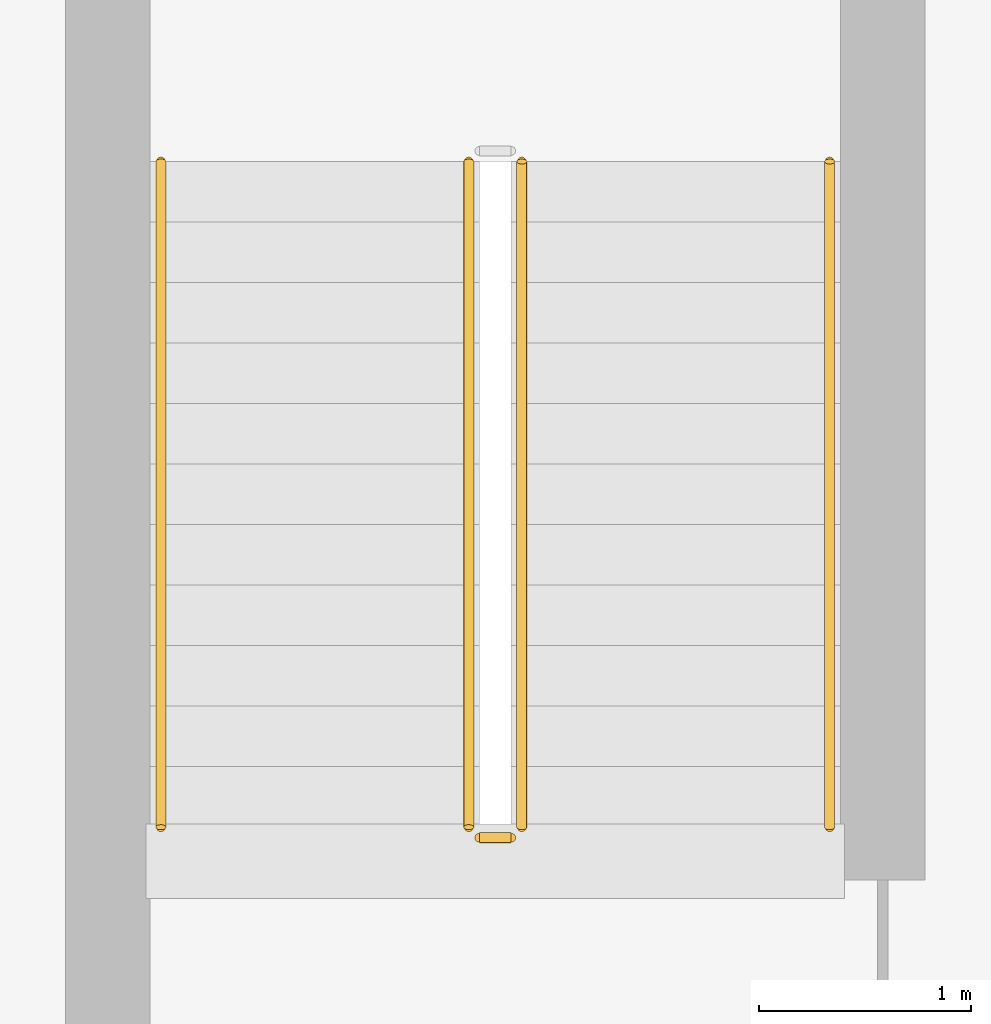
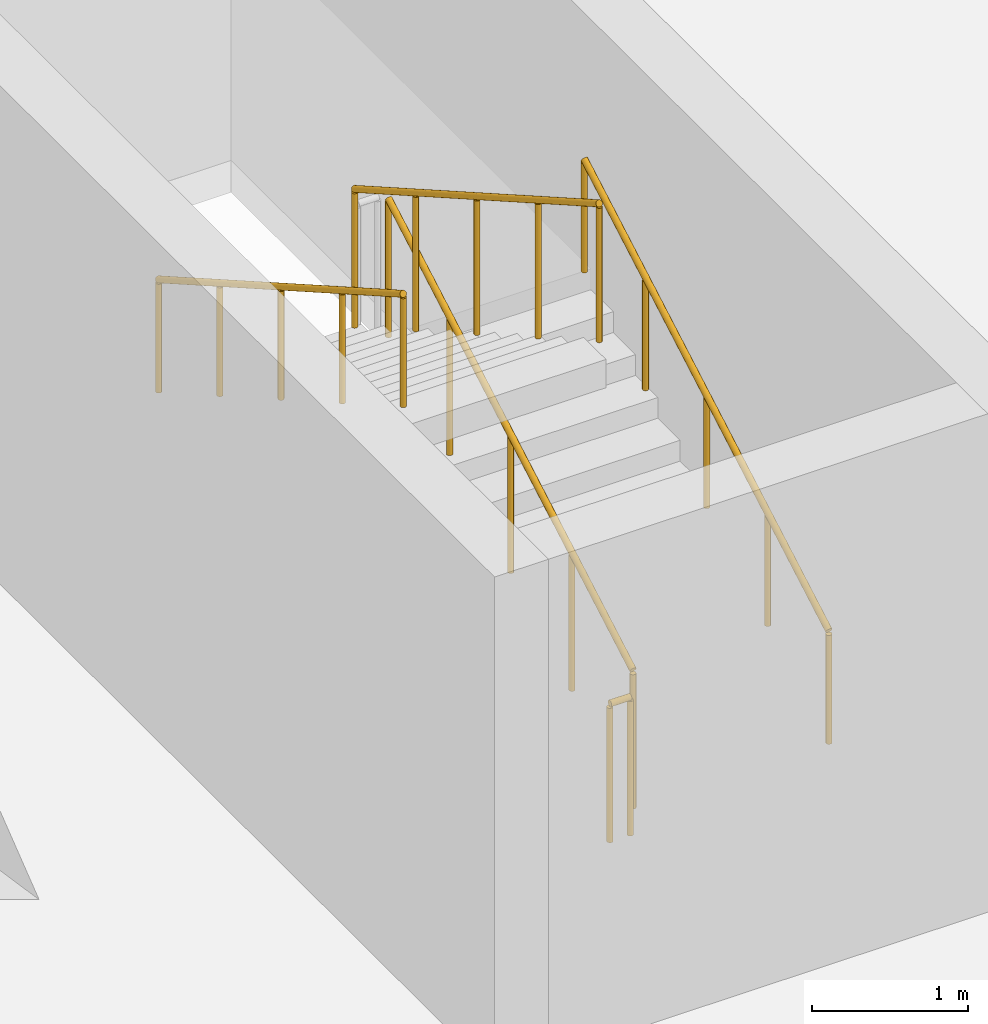
# One storey, part 78 of 98: 5 railings.
"""IFC4 building model written with IfcOpenShell, lengths in metres."""

import ifcopenshell
import ifcopenshell.guid

model = None  # the IFC model being written
_history = None  # IfcOwnerHistory: only IFC2X3 demands one
_inside = {}  # id of a spatial element -> (the spatial element, [elements in it])
_under = {}  # id of a project, library or spatial element -> (it, [spatial elements below it])
_declared = {}  # id of a project -> (the project, [libraries it declares])
_typed = {}  # id of a type object -> (the type object, [elements of that type])
_made_of = {}  # id of a material, layer set ... -> (it, [elements and type objects made of it])


def new_model(schema):
    """Start an empty IFC model of exactly this schema.

    Asked for "IFC4X3", IfcOpenShell would pick the latest addendum, in which some entities
    have other attributes; the version numbers below select the first issue.
    IFC2X3 requires an IfcOwnerHistory on every rooted entity: one is made here for all.
    """
    global model, _history
    if schema == "IFC4X3":
        model = ifcopenshell.file(schema_version=(4, 3, 0, 0))
    else:
        model = ifcopenshell.file(schema=schema)
    _inside.clear()
    _under.clear()
    _declared.clear()
    _typed.clear()
    _made_of.clear()
    _history = None
    if model.schema == "IFC2X3":
        org = make("IfcOrganization", Name="unknown")
        user = make(
            "IfcPersonAndOrganization",
            ThePerson=make("IfcPerson", FamilyName="unknown"),
            TheOrganization=org,
        )
        app = make(
            "IfcApplication",
            ApplicationDeveloper=org,
            Version="unknown",
            ApplicationFullName="unknown",
            ApplicationIdentifier="unknown",
        )
        _history = make(
            "IfcOwnerHistory",
            OwningUser=user,
            OwningApplication=app,
            ChangeAction="ADDED",
            CreationDate=0,
        )
    return model


def make(cls, **values):
    """One entity of the class cls with the attributes given. An attribute that is None is left unset."""
    return model.create_entity(
        cls, **{name: value for name, value in values.items() if value is not None}
    )


def rooted(cls, **values):
    """An entity with a GlobalId (a new one), such as an element, a storey or a relation."""
    return make(cls, GlobalId=ifcopenshell.guid.new(), OwnerHistory=_history, **values)


def si_unit(unit_type, name, prefix=None):
    """IfcSIUnit, for example si_unit("LENGTHUNIT", "METRE", prefix="MILLI")."""
    return make("IfcSIUnit", UnitType=unit_type, Prefix=prefix, Name=name)


def assignment(units):
    """IfcUnitAssignment: the units of a project."""
    return None if units is None else make("IfcUnitAssignment", Units=units)


def point(xyz):
    """IfcCartesianPoint."""
    return None if xyz is None else make("IfcCartesianPoint", Coordinates=xyz)


def direction(xyz):
    """IfcDirection."""
    return None if xyz is None else make("IfcDirection", DirectionRatios=xyz)


def frame(location, z_axis=None, x_axis=None):
    """IfcAxis2Placement3D, a coordinate frame: its origin and axes. An axis left out is left unset."""
    return make(
        "IfcAxis2Placement3D",
        Location=point(location),
        Axis=direction(z_axis),
        RefDirection=direction(x_axis),
    )


def frame_2d(location, x_axis=None):
    """IfcAxis2Placement2D, a coordinate frame in the plane: its origin and x axis."""
    return make(
        "IfcAxis2Placement2D", Location=point(location), RefDirection=direction(x_axis)
    )


def origin():
    """The frame at (0, 0, 0) with its axes left unset."""
    return frame((0.0, 0.0, 0.0))


def origin_2d():
    """The frame at (0, 0) in the plane with its x axis left unset."""
    return frame_2d((0.0, 0.0))


def place(relative_to, where):
    """IfcLocalPlacement: puts the frame where relative to a parent placement (None: the world)."""
    return make(
        "IfcLocalPlacement", PlacementRelTo=relative_to, RelativePlacement=where
    )


def context(
    kind, dimensions, precision=None, world=None, true_north=None, identifier=None
):
    """IfcGeometricRepresentationContext, for example the 3D "Model" context."""
    return make(
        "IfcGeometricRepresentationContext",
        ContextIdentifier=identifier,
        ContextType=kind,
        CoordinateSpaceDimension=dimensions,
        Precision=precision,
        WorldCoordinateSystem=world,
        TrueNorth=true_north,
    )


def subcontext(parent, identifier, kind, view, scale=None):
    """IfcGeometricRepresentationSubContext, for example "Body" below "Model"."""
    return make(
        "IfcGeometricRepresentationSubContext",
        ContextIdentifier=identifier,
        ContextType=kind,
        ParentContext=parent,
        TargetScale=scale,
        TargetView=view,
    )


def project(units=None, contexts=None):
    """IfcProject with its units and contexts."""
    return rooted(
        "IfcProject",
        Name="project",
        RepresentationContexts=contexts,
        UnitsInContext=assignment(units),
    )


def spatial(cls, under=None, at=None, **own):
    """A site, building, storey or space (cls), placed at a placement, below another one or the project."""
    s = rooted(cls, ObjectPlacement=at, **own)
    if under is not None:
        _under.setdefault(under.id(), (under, []))[1].append(s)
    return s


def profile(cls, at=None, kind="AREA", **sizes):
    """A parametric profile (cls). Its sizes go by their IFC names, for example OverallWidth=200.0."""
    return make(cls, ProfileType=kind, Position=at, **sizes)


def circle(**sizes):
    """IfcCircleProfileDef."""
    return profile("IfcCircleProfileDef", **sizes)


def extrude(swept, where, along, depth):
    """IfcExtrudedAreaSolid: the profile swept, set in the frame where, extruded along a direction by depth."""
    return make(
        "IfcExtrudedAreaSolid",
        SweptArea=swept,
        Position=where,
        ExtrudedDirection=direction(along),
        Depth=depth,
    )


def shape(context_of_items, identifier, shape_type, items):
    """IfcShapeRepresentation: the items that make up one representation, for example the "Body"."""
    return make(
        "IfcShapeRepresentation",
        ContextOfItems=context_of_items,
        RepresentationIdentifier=identifier,
        RepresentationType=shape_type,
        Items=items,
    )


def material(Name=None, Category=None):
    """IfcMaterial."""
    return make("IfcMaterial", Name=Name, Category=Category)


def made_of(thing, what):
    """Note that an element or type object is made of a material, layer set ...; save() writes the relation."""
    if what is not None:
        _made_of.setdefault(what.id(), (what, []))[1].append(thing)
    return thing


def type_object(cls, material=None, **own):
    """A type object (cls), such as IfcWallType, which elements share."""
    return made_of(rooted(cls, **own), material)


def element(
    cls,
    number,
    at=None,
    inside=None,
    cuts=None,
    type_object=None,
    material=None,
    context=None,
    identifier="Body",
    shape_type=None,
    held_by="IfcProductDefinitionShape",
    body=None,
    shapes=None,
    **own,
):
    """One element of the class cls, such as IfcWall. Its Tag is "e" and its number.

    at: its placement. inside: the storey or other place that contains it. cuts: it is an
    opening in that element (IfcRelVoidsElement). A single representation is given by context,
    identifier, shape_type and body (its items); several are given by shapes. held_by: the class
    of the entity that holds the representations. save() writes the other relations.
    """
    e = rooted(cls, Tag="e%d" % number, ObjectPlacement=at, **own)
    if body is not None:
        shapes = [shape(context, identifier, shape_type, body)]
    if shapes is not None:
        e.Representation = make(held_by, Representations=shapes)
    if inside is not None:
        _inside.setdefault(inside.id(), (inside, []))[1].append(e)
    if cuts is not None:
        rooted(
            "IfcRelVoidsElement", RelatingBuildingElement=cuts, RelatedOpeningElement=e
        )
    if type_object is not None:
        _typed.setdefault(type_object.id(), (type_object, []))[1].append(e)
    return made_of(e, material)


def aggregate(whole, parts):
    """IfcRelAggregates: a whole, such as a stair, and the parts it consists of."""
    return rooted("IfcRelAggregates", RelatingObject=whole, RelatedObjects=parts)


def save(model, path):
    """Write the relations noted so far, then the file.

    IfcRelAggregates (storeys below a building ...), IfcRelContainedInSpatialStructure (elements
    in a storey), IfcRelDefinesByType, IfcRelAssociatesMaterial and IfcRelDeclares: one each for
    every whole, place, type object, material and project.
    """
    for whole, parts in _under.values():
        aggregate(whole, parts)
    for where, things in _inside.values():
        rooted(
            "IfcRelContainedInSpatialStructure",
            RelatedElements=things,
            RelatingStructure=where,
        )
    for kind, things in _typed.values():
        rooted("IfcRelDefinesByType", RelatedObjects=things, RelatingType=kind)
    for what, things in _made_of.values():
        rooted("IfcRelAssociatesMaterial", RelatedObjects=things, RelatingMaterial=what)
    for by, libraries in _declared.values():
        rooted("IfcRelDeclares", RelatingContext=by, RelatedDefinitions=libraries)
    model.write(path)


model = new_model("IFC4")

# Units and contexts
model_context = context("Model", 3, precision=1e-05, world=origin(), true_north=direction((0.0, 1.0)))
body_context = subcontext(model_context, "Body", "Model", "MODEL_VIEW")
ifc_project = project(units=[si_unit("LENGTHUNIT", "METRE"), si_unit("AREAUNIT", "SQUARE_METRE"), si_unit("VOLUMEUNIT", "CUBIC_METRE"), si_unit("PLANEANGLEUNIT", "RADIAN"), si_unit("MASSUNIT", "GRAM", prefix="KILO")], contexts=[model_context])

# Site, building, storey
site_placement = place(None, origin())
site = spatial("IfcSite", under=ifc_project, at=site_placement, CompositionType="ELEMENT")
building_placement = place(site_placement, origin())
building = spatial("IfcBuilding", under=site, at=building_placement, Name="Larkveld Mobility Hub", CompositionType="ELEMENT")
storey_placement = place(building_placement, frame((0.0, 0.0, 4.5)))
storey = spatial("IfcBuildingStorey", under=building, at=storey_placement, Name="L01", CompositionType="ELEMENT", Elevation=4.5)

# Railings
ifc_material_1 = material(Name="Galvanized Steel S355JR balustrade", Category="steel")
railing_type_1 = type_object("IfcRailingType", Name="RL-GRD-1100", PredefinedType="GUARDRAIL", material=ifc_material_1)
railing_1_placement = place(storey_placement, frame((7.199951171875, 44.89990234375, 0.16259765625)))
element("IfcRailing", 1, at=railing_1_placement, inside=storey, type_object=railing_type_1, Name="L01 ST7 stair guard 1", PredefinedType="GUARDRAIL", context=body_context, shape_type="SweptSolid", body=[
    extrude(circle(Radius=0.02392578125, at=origin_2d()), frame((0.0, 0.0, 1.076171875), z_axis=(0.0, 0.868729823959, 0.495286273749), x_axis=(-1.0, 0.0, 0.0)), (0.0, 0.0, 1.0), 3.608642578125),
    extrude(circle(Radius=0.02099609375, at=origin_2d()), origin(), (0.0, 0.0, 1.0), 1.052001953125),
    extrude(circle(Radius=0.02099609375, at=origin_2d()), frame((0.0, 0.78369140625, 0.44677734375)), (0.0, 0.0, 1.0), 1.052001953125),
    extrude(circle(Radius=0.02099609375, at=origin_2d()), frame((0.0, 1.5673828125, 0.8935546875)), (0.0, 0.0, 1.0), 1.052001953125),
    extrude(circle(Radius=0.02099609375, at=origin_2d()), frame((0.0, 2.351318359375, 1.340576171875)), (0.0, 0.0, 1.0), 1.052001953125),
    extrude(circle(Radius=0.02099609375, at=origin_2d()), frame((0.0, 3.135009765625, 1.787353515625)), (0.0, 0.0, 1.0), 1.052001953125),
])
railing_2_placement = place(storey_placement, frame((6.949951171875, 48.034912109375, 2.112548828125)))
element("IfcRailing", 2, at=railing_2_placement, inside=storey, type_object=railing_type_1, Name="L01 ST7 stair guard 3", PredefinedType="GUARDRAIL", context=body_context, shape_type="SweptSolid", body=[
    extrude(circle(Radius=0.02392578125, at=origin_2d()), frame((0.0, 0.0, 1.076171875), z_axis=(0.0, -0.868729823959, 0.495286273749), x_axis=(1.0, 0.0, 0.0)), (0.0, 0.0, 1.0), 3.608642578125),
    extrude(circle(Radius=0.02099609375, at=origin_2d()), origin(), (0.0, 0.0, 1.0), 1.052001953125),
    extrude(circle(Radius=0.02099609375, at=origin_2d()), frame((0.0, -0.78369140625, 0.44677734375)), (0.0, 0.0, 1.0), 1.052001953125),
    extrude(circle(Radius=0.02099609375, at=origin_2d()), frame((0.0, -1.5673828125, 0.8935546875)), (0.0, 0.0, 1.0), 1.052001953125),
    extrude(circle(Radius=0.02099609375, at=origin_2d()), frame((0.0, -2.351318359375, 1.340576171875)), (0.0, 0.0, 1.0), 1.052001953125),
    extrude(circle(Radius=0.02099609375, at=origin_2d()), frame((0.0, -3.135009765625, 1.787353515625)), (0.0, 0.0, 1.0), 1.052001953125),
])
railing_3_placement = place(storey_placement, frame((7.14990234375, 44.85009765625, 0.0)))
element("IfcRailing", 3, at=railing_3_placement, inside=storey, type_object=railing_type_1, Name="L01 ST7 stair guard 4", PredefinedType="GUARDRAIL", context=body_context, shape_type="SweptSolid", body=[
    extrude(circle(Radius=0.02392578125, at=origin_2d()), frame((0.0, 0.0, 1.076171875), z_axis=(-1.0, 0.0, 0.0), x_axis=(0.0, -1.0, 0.0)), (0.0, 0.0, 1.0), 0.14990234375),
    extrude(circle(Radius=0.02099609375, at=origin_2d()), origin(), (0.0, 0.0, 1.0), 1.052001953125),
    extrude(circle(Radius=0.02099609375, at=origin_2d()), frame((-0.14990234375, 0.0, 0.0)), (0.0, 0.0, 1.0), 1.052001953125),
])
ifc_material_2 = material(Name="Brushed Steel S355JR tubular handrail", Category="steel")
railing_type_2 = type_object("IfcRailingType", Name="RL-HND-0900", PredefinedType="HANDRAIL", material=ifc_material_2)
railing_4_placement = place(storey_placement, frame((8.64990234375, 44.89990234375, 0.16259765625)))
element("IfcRailing", 4, at=railing_4_placement, inside=storey, type_object=railing_type_2, Name="L01 ST7 stair handrail 1", PredefinedType="HANDRAIL", context=body_context, shape_type="SweptSolid", body=[
    extrude(circle(Radius=0.02392578125, at=origin_2d()), frame((0.0, 0.0, 0.8759765625), z_axis=(0.0, 0.868729823959, 0.495286273749), x_axis=(-1.0, 0.0, 0.0)), (0.0, 0.0, 1.0), 3.608642578125),
    extrude(circle(Radius=0.02099609375, at=origin_2d()), origin(), (0.0, 0.0, 1.0), 0.851806640625),
    extrude(circle(Radius=0.02099609375, at=origin_2d()), frame((0.0, 0.78369140625, 0.44677734375)), (0.0, 0.0, 1.0), 0.851806640625),
    extrude(circle(Radius=0.02099609375, at=origin_2d()), frame((0.0, 1.5673828125, 0.8935546875)), (0.0, 0.0, 1.0), 0.851806640625),
    extrude(circle(Radius=0.02099609375, at=origin_2d()), frame((0.0, 2.351318359375, 1.340576171875)), (0.0, 0.0, 1.0), 0.851806640625),
    extrude(circle(Radius=0.02099609375, at=origin_2d()), frame((0.0, 3.135009765625, 1.787353515625)), (0.0, 0.0, 1.0), 0.851806640625),
])
railing_5_placement = place(storey_placement, frame((5.5, 48.034912109375, 2.112548828125)))
element("IfcRailing", 5, at=railing_5_placement, inside=storey, type_object=railing_type_2, Name="L01 ST7 stair handrail 2", PredefinedType="HANDRAIL", context=body_context, shape_type="SweptSolid", body=[
    extrude(circle(Radius=0.02392578125, at=origin_2d()), frame((0.0, 0.0, 0.8759765625), z_axis=(0.0, -0.868729823959, 0.495286273749), x_axis=(1.0, 0.0, 0.0)), (0.0, 0.0, 1.0), 3.608642578125),
    extrude(circle(Radius=0.02099609375, at=origin_2d()), origin(), (0.0, 0.0, 1.0), 0.851806640625),
    extrude(circle(Radius=0.02099609375, at=origin_2d()), frame((0.0, -0.78369140625, 0.44677734375)), (0.0, 0.0, 1.0), 0.851806640625),
    extrude(circle(Radius=0.02099609375, at=origin_2d()), frame((0.0, -1.5673828125, 0.8935546875)), (0.0, 0.0, 1.0), 0.851806640625),
    extrude(circle(Radius=0.02099609375, at=origin_2d()), frame((0.0, -2.351318359375, 1.340576171875)), (0.0, 0.0, 1.0), 0.851806640625),
    extrude(circle(Radius=0.02099609375, at=origin_2d()), frame((0.0, -3.135009765625, 1.787353515625)), (0.0, 0.0, 1.0), 0.851806640625),
])

save(model, "model.ifc")
